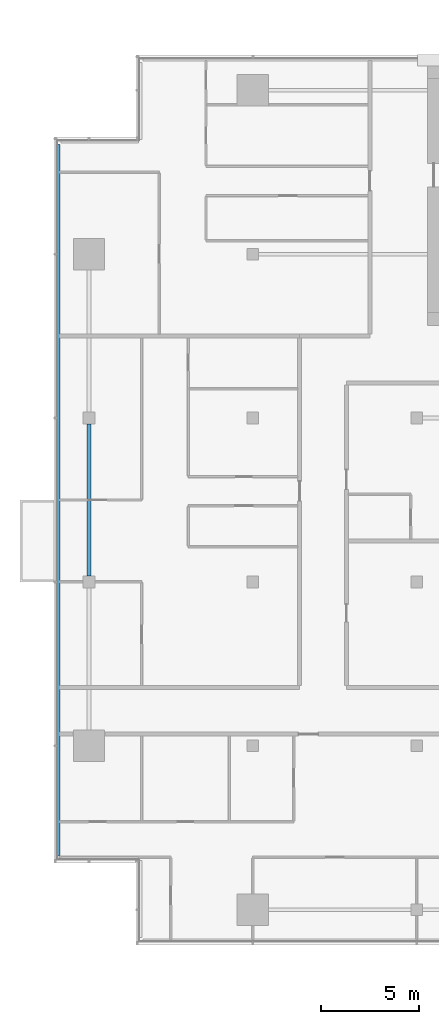
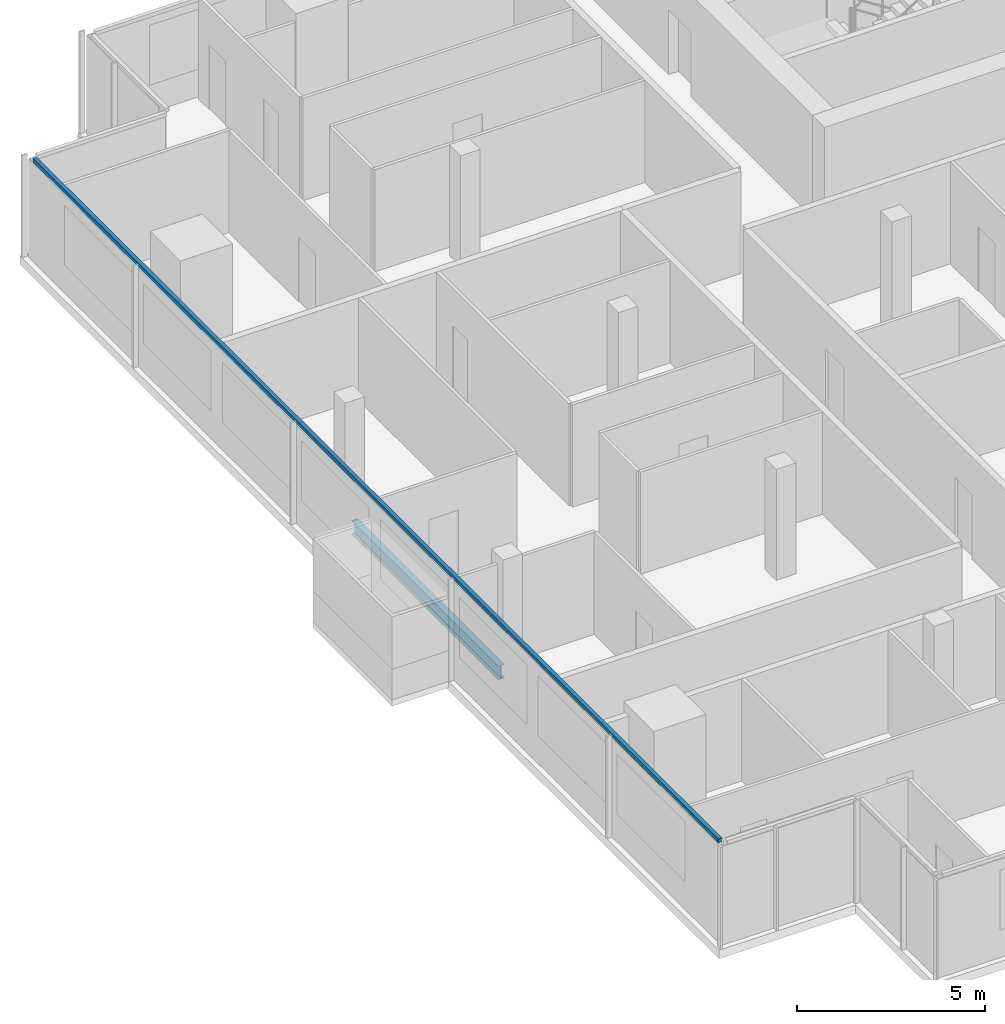
# One storey, part 3 of 26: 1 beam, 1 member, 1 element without a shape of its own.
"""IFC4 building model written with IfcOpenShell, lengths in metres."""

from ifc_helpers import new_model, si_unit, direction, frame, origin, origin_2d, place, context, subcontext, project, spatial, rectangle, i_section, extrude, material, material_profile, profile_set, type_object, element, aggregate, save


model = new_model("IFC4")

# Units and contexts
model_context = context("Model", 3, precision=1e-05, world=origin(), true_north=direction((0.0, 1.0)))
body_context = subcontext(model_context, "Body", "Model", "MODEL_VIEW")
ifc_project = project(units=[si_unit("LENGTHUNIT", "METRE"), si_unit("AREAUNIT", "SQUARE_METRE"), si_unit("VOLUMEUNIT", "CUBIC_METRE"), si_unit("PLANEANGLEUNIT", "RADIAN"), si_unit("MASSUNIT", "GRAM", prefix="KILO")], contexts=[model_context])

# Site, building, storey
site_placement = place(None, origin())
site = spatial("IfcSite", under=ifc_project, at=site_placement, CompositionType="ELEMENT")
building_placement = place(site_placement, origin())
building = spatial("IfcBuilding", under=site, at=building_placement, Name="Saffron Gate Tower", CompositionType="ELEMENT")
storey_placement = place(building_placement, frame((0.0, 0.0, 230.699951171875)))
storey = spatial("IfcBuildingStorey", under=building, at=storey_placement, Name="L56", CompositionType="ELEMENT", Elevation=230.699951171875)

# Beam
ifc_material_1 = material(Name="Structural steel S355", Category="steel")
ifc_material_profile_1 = material_profile(ifc_material_1, i_section(OverallWidth=0.18994140625, OverallDepth=0.449951171875, WebThickness=0.009521484375, FlangeThickness=0.0146484375, FilletRadius=0.02099609375, at=origin_2d()))
ifc_profile_set_1 = profile_set([ifc_material_profile_1], Name="Structural steel S355")
beam_type = type_object("IfcBeamType", Name="B7 IPE 450", PredefinedType="SPANDREL", material=ifc_profile_set_1)
beam_placement = place(storey_placement, frame((49.800048828125, 48.89990234375, -0.5048828125), z_axis=(0.0, 1.0, 0.0), x_axis=(-1.0, 0.0, 0.0)))
element("IfcBeam", 1, at=beam_placement, inside=storey, type_object=beam_type, Name="B7 SPANDREL BEAM", PredefinedType="SPANDREL", context=body_context, shape_type="SweptSolid", body=[
    extrude(i_section(OverallWidth=0.18994140625, OverallDepth=0.449951171875, WebThickness=0.009521484375, FlangeThickness=0.0146484375, FilletRadius=0.02099609375, at=origin_2d()), origin(), (0.0, 0.0, 1.0), 7.800048828125),
])

# Curtain wall, member
ifc_material_2 = material(Name="Aluminium, bronze anodised", Category="aluminium")
curtain_wall_type = type_object("IfcCurtainWallType", Name="CWS2 curtain wall side facades", PredefinedType="NOTDEFINED", material=ifc_material_2)
curtain_wall_placement = place(storey_placement, origin())
curtain_wall = element("IfcCurtainWall", 2, at=curtain_wall_placement, inside=storey, type_object=curtain_wall_type, Name="CWS2 run 10", PredefinedType="NOTDEFINED")
ifc_material_profile_2 = material_profile(ifc_material_2, rectangle(XDim=0.1201171875, YDim=0.1201171875, at=origin_2d()))
ifc_profile_set_2 = profile_set([ifc_material_profile_2], Name="Aluminium, bronze anodised")
member_type = type_object("IfcMemberType", Name="CWS2 head transom", PredefinedType="USERDEFINED", material=ifc_profile_set_2)
member_placement = place(storey_placement, frame((48.248046875, 71.031982421875, 3.260009765625), z_axis=(0.0, -1.0, 0.0), x_axis=(1.0, 0.0, 0.0)))
member = element("IfcMember", 3, at=member_placement, type_object=member_type, Name="CWS2 head transom", ObjectType="TRANSOM", PredefinedType="USERDEFINED", context=body_context, shape_type="SweptSolid", body=[
    extrude(rectangle(XDim=0.1201171875, YDim=0.1201171875, at=origin_2d()), origin(), (0.0, 0.0, 1.0), 36.4638671875),
])
aggregate(curtain_wall, [member])

save(model, "model.ifc")
